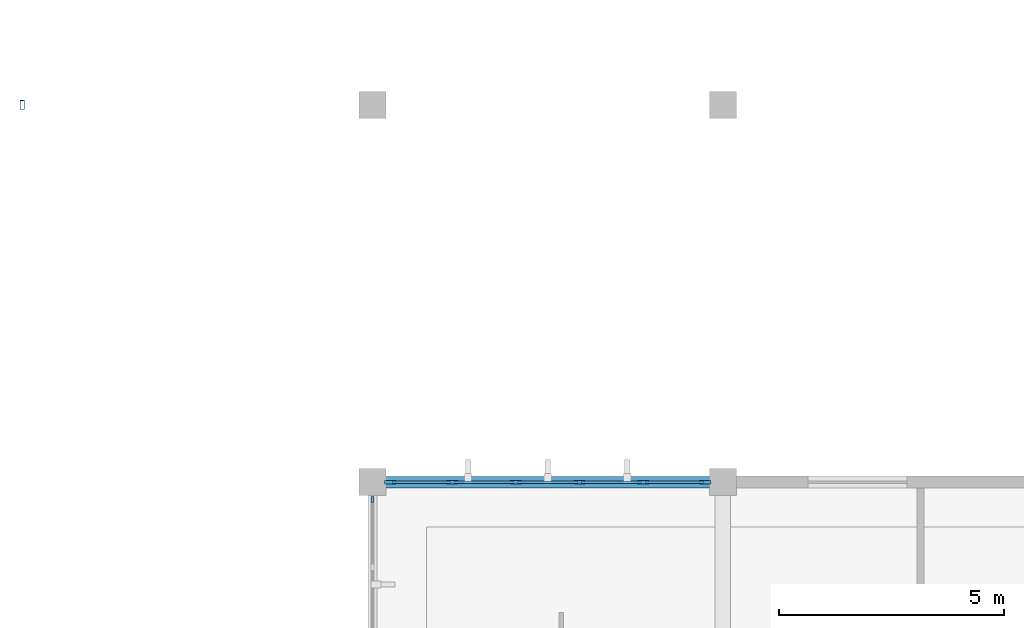
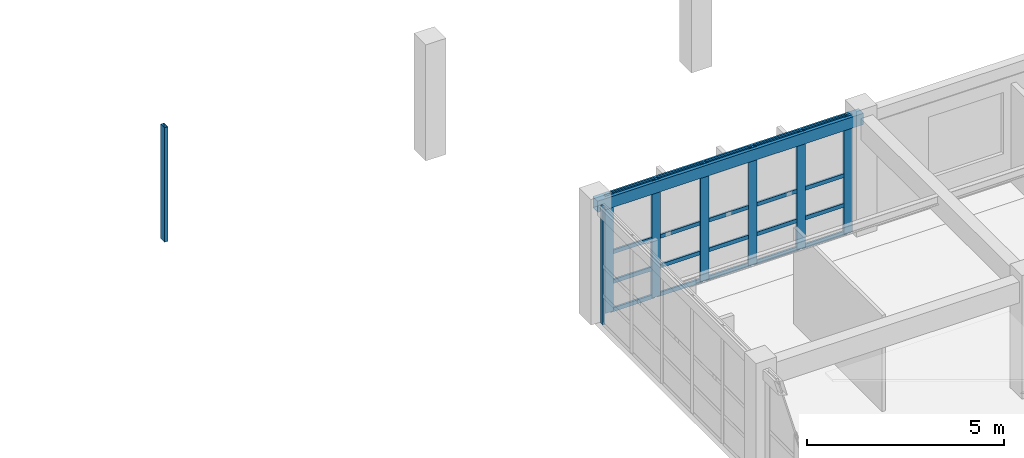
# One storey, part 10 of 67: 28 members, 1 beam, 2 elements without a shape of their own.
"""IFC4 building model written with IfcOpenShell, lengths in metres."""

from ifc_helpers import new_model, si_unit, direction, frame, origin, origin_2d, place, context, subcontext, project, spatial, rectangle, hollow_rectangle, extrude, material, material_profile, profile_set, type_object, element, aggregate, save


model = new_model("IFC4")

# Units and contexts
model_context = context("Model", 3, precision=1e-05, world=origin(), true_north=direction((0.0, 1.0)))
body_context = subcontext(model_context, "Body", "Model", "MODEL_VIEW")
ifc_project = project(units=[si_unit("LENGTHUNIT", "METRE"), si_unit("AREAUNIT", "SQUARE_METRE"), si_unit("VOLUMEUNIT", "CUBIC_METRE"), si_unit("PLANEANGLEUNIT", "RADIAN"), si_unit("MASSUNIT", "GRAM", prefix="KILO")], contexts=[model_context])

# Site, building, storey
site_placement = place(None, origin())
site = spatial("IfcSite", under=ifc_project, at=site_placement, CompositionType="ELEMENT")
building_placement = place(site_placement, origin())
building = spatial("IfcBuilding", under=site, at=building_placement, Name="Tizgana Railside Sports Hall", CompositionType="ELEMENT")
storey_placement = place(building_placement, frame((0.0, 0.0, 12.0)))
storey = spatial("IfcBuildingStorey", under=building, at=storey_placement, Name="L02", CompositionType="ELEMENT", Elevation=12.0)

# Curtain wall, member
ifc_material_1 = material(Name="Anodised aluminium and glass", Category="aluminium")
curtain_wall_type_1 = type_object("IfcCurtainWallType", Name="Unitised Curtain Wall Studio 1400", PredefinedType="NOTDEFINED", material=ifc_material_1)
curtain_wall_1_placement = place(storey_placement, origin())
curtain_wall_1 = element("IfcCurtainWall", 1, at=curtain_wall_1_placement, inside=storey, type_object=curtain_wall_type_1, Name="L02 Curtain Wall CW-0114", PredefinedType="NOTDEFINED")
ifc_material_2 = material(Name="Anodised aluminium", Category="aluminium")
ifc_material_profile_1 = material_profile(ifc_material_2, rectangle(XDim=0.06005859375, YDim=0.139892578125, at=origin_2d()), Name="Mullion 60x140")
ifc_profile_set_1 = profile_set([ifc_material_profile_1], Name="Anodised aluminium")
member_type_1 = type_object("IfcMemberType", Name="Mullion 60x140", PredefinedType="MULLION", material=ifc_profile_set_1)
member_1_placement = place(storey_placement, frame((7.800048828125, 32.014892578125, 0.0), z_axis=(0.0, 0.0, 1.0), x_axis=(1.0, 0.0, 0.0)))
member_1 = element("IfcMember", 2, at=member_1_placement, type_object=member_type_1, Name="CW-03 mullion 1", PredefinedType="MULLION", context=body_context, shape_type="SweptSolid", body=[
    extrude(rectangle(XDim=0.06005859375, YDim=0.139892578125, at=origin_2d()), origin(), (0.0, 0.0, 1.0), 3.639892578125),
])
aggregate(curtain_wall_1, [member_1])

# Curtain wall, members
curtain_wall_type_2 = type_object("IfcCurtainWallType", Name="Unitised Curtain Wall Climbing 1600", PredefinedType="NOTDEFINED", material=ifc_material_1)
curtain_wall_2_placement = place(storey_placement, origin())
curtain_wall_2 = element("IfcCurtainWall", 3, at=curtain_wall_2_placement, inside=storey, type_object=curtain_wall_type_2, Name="L02 Curtain Wall CW-0107", PredefinedType="NOTDEFINED")
ifc_material_profile_2 = material_profile(ifc_material_2, rectangle(XDim=0.074951171875, YDim=0.25, at=origin_2d()), Name="Mullion 75x250")
ifc_profile_set_2 = profile_set([ifc_material_profile_2], Name="Anodised aluminium")
member_type_2 = type_object("IfcMemberType", Name="Mullion 75x250", PredefinedType="MULLION", material=ifc_profile_set_2)
member_2_placement = place(storey_placement, frame((8.1923828125, 32.39990234375, 0.0), z_axis=(0.0, 0.0, 1.0), x_axis=(0.0, 1.0, 0.0)))
member_2 = element("IfcMember", 4, at=member_2_placement, type_object=member_type_2, Name="CW-04 mullion 1", PredefinedType="MULLION", context=body_context, shape_type="SweptSolid", body=[
    extrude(rectangle(XDim=0.074951171875, YDim=0.25, at=origin_2d()), origin(), (0.0, 0.0, 1.0), 3.639892578125),
])
member_3_placement = place(storey_placement, frame((9.572998046875, 32.39990234375, 0.0), z_axis=(0.0, 0.0, 1.0), x_axis=(0.0, 1.0, 0.0)))
member_3 = element("IfcMember", 5, at=member_3_placement, type_object=member_type_2, Name="CW-04 mullion 2", PredefinedType="MULLION", context=body_context, shape_type="SweptSolid", body=[
    extrude(rectangle(XDim=0.074951171875, YDim=0.25, at=origin_2d()), origin(), (0.0, 0.0, 1.0), 3.639892578125),
])
member_4_placement = place(storey_placement, frame((10.990966796875, 32.39990234375, 0.0), z_axis=(0.0, 0.0, 1.0), x_axis=(0.0, 1.0, 0.0)))
member_4 = element("IfcMember", 6, at=member_4_placement, type_object=member_type_2, Name="CW-04 mullion 3", PredefinedType="MULLION", context=body_context, shape_type="SweptSolid", body=[
    extrude(rectangle(XDim=0.074951171875, YDim=0.25, at=origin_2d()), origin(), (0.0, 0.0, 1.0), 3.639892578125),
])
member_5_placement = place(storey_placement, frame((12.408935546875, 32.39990234375, 0.0), z_axis=(0.0, 0.0, 1.0), x_axis=(0.0, 1.0, 0.0)))
member_5 = element("IfcMember", 7, at=member_5_placement, type_object=member_type_2, Name="CW-04 mullion 4", PredefinedType="MULLION", context=body_context, shape_type="SweptSolid", body=[
    extrude(rectangle(XDim=0.074951171875, YDim=0.25, at=origin_2d()), origin(), (0.0, 0.0, 1.0), 3.639892578125),
])
member_6_placement = place(storey_placement, frame((13.826904296875, 32.39990234375, 0.0), z_axis=(0.0, 0.0, 1.0), x_axis=(0.0, 1.0, 0.0)))
member_6 = element("IfcMember", 8, at=member_6_placement, type_object=member_type_2, Name="CW-04 mullion 5", PredefinedType="MULLION", context=body_context, shape_type="SweptSolid", body=[
    extrude(rectangle(XDim=0.074951171875, YDim=0.25, at=origin_2d()), origin(), (0.0, 0.0, 1.0), 3.639892578125),
])
member_7_placement = place(storey_placement, frame((15.20751953125, 32.39990234375, 0.0), z_axis=(0.0, 0.0, 1.0), x_axis=(0.0, 1.0, 0.0)))
member_7 = element("IfcMember", 9, at=member_7_placement, type_object=member_type_2, Name="CW-04 mullion 6", PredefinedType="MULLION", context=body_context, shape_type="SweptSolid", body=[
    extrude(rectangle(XDim=0.074951171875, YDim=0.25, at=origin_2d()), origin(), (0.0, 0.0, 1.0), 3.639892578125),
])

# Member
ifc_material_3 = material(Name="Steel S355J2", Category="steel")
ifc_material_profile_3 = material_profile(ifc_material_3, hollow_rectangle(XDim=0.10009765625, YDim=0.199951171875, WallThickness=0.008056640625, at=origin_2d()), Name="RHS 200x100x8")
ifc_profile_set_3 = profile_set([ifc_material_profile_3], Name="Steel S355J2")
member_type_3 = type_object("IfcMemberType", Name="Steel Brace RHS 200x100x8", PredefinedType="BRACE", material=ifc_profile_set_3)
member_8_placement = place(storey_placement, frame((0.0, 40.800048828125, 0.0), z_axis=(0.0, 0.0, 1.0), x_axis=(1.0, 0.0, 0.0)))
element("IfcMember", 10, at=member_8_placement, inside=storey, type_object=member_type_3, Name="L02 Tip Post MEM-0002", PredefinedType="BRACE", context=body_context, shape_type="SweptSolid", body=[
    extrude(hollow_rectangle(XDim=0.10009765625, YDim=0.199951171875, WallThickness=0.008056640625, at=origin_2d()), origin(), (0.0, 0.0, 1.0), 3.550048828125),
])

# Beam
ifc_material_profile_4 = material_profile(ifc_material_3, hollow_rectangle(XDim=0.25, YDim=0.35009765625, WallThickness=0.011962890625, at=origin_2d()), Name="RHS 350x250x12")
ifc_profile_set_4 = profile_set([ifc_material_profile_4], Name="Steel S355J2")
beam_type = type_object("IfcBeamType", Name="Steel Spandrel RHS 350x250x12", PredefinedType="SPANDREL", material=ifc_profile_set_4)
beam_placement = place(storey_placement, frame((7.800048828125, 32.39990234375, 3.4609375), z_axis=(1.0, 0.0, 0.0), x_axis=(0.0, 1.0, 0.0)))
element("IfcBeam", 11, at=beam_placement, inside=storey, type_object=beam_type, Name="L02 BEM-0637", PredefinedType="SPANDREL", context=body_context, shape_type="SweptSolid", body=[
    extrude(hollow_rectangle(XDim=0.25, YDim=0.35009765625, WallThickness=0.011962890625, at=origin_2d()), origin(), (0.0, 0.0, 1.0), 7.800048828125),
])

# Member
ifc_material_profile_5 = material_profile(ifc_material_2, rectangle(XDim=0.054931640625, YDim=0.1201171875, at=origin_2d()), Name="Transom 55x120")
ifc_profile_set_5 = profile_set([ifc_material_profile_5], Name="Anodised aluminium")
member_type_4 = type_object("IfcMemberType", Name="Transom 55x120", PredefinedType="USERDEFINED", material=ifc_profile_set_5)
member_9_placement = place(storey_placement, frame((8.22998046875, 32.39990234375, 0.027587890625), z_axis=(1.0, 0.0, 0.0), x_axis=(0.0, 1.0, 0.0)))
member_9 = element("IfcMember", 12, at=member_9_placement, type_object=member_type_4, Name="CW-04 transom 1.1", ObjectType="TRANSOM", PredefinedType="USERDEFINED", context=body_context, shape_type="SweptSolid", body=[
    extrude(rectangle(XDim=0.054931640625, YDim=0.1201171875, at=origin_2d()), origin(), (0.0, 0.0, 1.0), 1.305419921875),
])

member_10_placement = place(storey_placement, frame((8.22998046875, 32.39990234375, 0.89990234375), z_axis=(1.0, 0.0, 0.0), x_axis=(0.0, 1.0, 0.0)))
member_10 = element("IfcMember", 13, at=member_10_placement, type_object=member_type_4, Name="CW-04 transom 1.2", ObjectType="TRANSOM", PredefinedType="USERDEFINED", context=body_context, shape_type="SweptSolid", body=[
    extrude(rectangle(XDim=0.054931640625, YDim=0.1201171875, at=origin_2d()), origin(), (0.0, 0.0, 1.0), 1.305419921875),
])

member_11_placement = place(storey_placement, frame((8.22998046875, 32.39990234375, 1.820068359375), z_axis=(1.0, 0.0, 0.0), x_axis=(0.0, 1.0, 0.0)))
member_11 = element("IfcMember", 14, at=member_11_placement, type_object=member_type_4, Name="CW-04 transom 1.3", ObjectType="TRANSOM", PredefinedType="USERDEFINED", context=body_context, shape_type="SweptSolid", body=[
    extrude(rectangle(XDim=0.054931640625, YDim=0.1201171875, at=origin_2d()), origin(), (0.0, 0.0, 1.0), 1.305419921875),
])

member_12_placement = place(storey_placement, frame((8.22998046875, 32.39990234375, 3.612548828125), z_axis=(1.0, 0.0, 0.0), x_axis=(0.0, 1.0, 0.0)))
member_12 = element("IfcMember", 15, at=member_12_placement, type_object=member_type_4, Name="CW-04 transom 1.4", ObjectType="TRANSOM", PredefinedType="USERDEFINED", context=body_context, shape_type="SweptSolid", body=[
    extrude(rectangle(XDim=0.054931640625, YDim=0.1201171875, at=origin_2d()), origin(), (0.0, 0.0, 1.0), 1.305419921875),
])

member_13_placement = place(storey_placement, frame((9.610595703125, 32.39990234375, 0.027587890625), z_axis=(1.0, 0.0, 0.0), x_axis=(0.0, 1.0, 0.0)))
member_13 = element("IfcMember", 16, at=member_13_placement, type_object=member_type_4, Name="CW-04 transom 2.1", ObjectType="TRANSOM", PredefinedType="USERDEFINED", context=body_context, shape_type="SweptSolid", body=[
    extrude(rectangle(XDim=0.054931640625, YDim=0.1201171875, at=origin_2d()), origin(), (0.0, 0.0, 1.0), 1.343017578125),
])

member_14_placement = place(storey_placement, frame((9.610595703125, 32.39990234375, 0.89990234375), z_axis=(1.0, 0.0, 0.0), x_axis=(0.0, 1.0, 0.0)))
member_14 = element("IfcMember", 17, at=member_14_placement, type_object=member_type_4, Name="CW-04 transom 2.2", ObjectType="TRANSOM", PredefinedType="USERDEFINED", context=body_context, shape_type="SweptSolid", body=[
    extrude(rectangle(XDim=0.054931640625, YDim=0.1201171875, at=origin_2d()), origin(), (0.0, 0.0, 1.0), 1.343017578125),
])

member_15_placement = place(storey_placement, frame((9.610595703125, 32.39990234375, 1.820068359375), z_axis=(1.0, 0.0, 0.0), x_axis=(0.0, 1.0, 0.0)))
member_15 = element("IfcMember", 18, at=member_15_placement, type_object=member_type_4, Name="CW-04 transom 2.3", ObjectType="TRANSOM", PredefinedType="USERDEFINED", context=body_context, shape_type="SweptSolid", body=[
    extrude(rectangle(XDim=0.054931640625, YDim=0.1201171875, at=origin_2d()), origin(), (0.0, 0.0, 1.0), 1.343017578125),
])

member_16_placement = place(storey_placement, frame((9.610595703125, 32.39990234375, 3.612548828125), z_axis=(1.0, 0.0, 0.0), x_axis=(0.0, 1.0, 0.0)))
member_16 = element("IfcMember", 19, at=member_16_placement, type_object=member_type_4, Name="CW-04 transom 2.4", ObjectType="TRANSOM", PredefinedType="USERDEFINED", context=body_context, shape_type="SweptSolid", body=[
    extrude(rectangle(XDim=0.054931640625, YDim=0.1201171875, at=origin_2d()), origin(), (0.0, 0.0, 1.0), 1.343017578125),
])

member_17_placement = place(storey_placement, frame((11.028564453125, 32.39990234375, 0.027587890625), z_axis=(1.0, 0.0, 0.0), x_axis=(0.0, 1.0, 0.0)))
member_17 = element("IfcMember", 20, at=member_17_placement, type_object=member_type_4, Name="CW-04 transom 3.1", ObjectType="TRANSOM", PredefinedType="USERDEFINED", context=body_context, shape_type="SweptSolid", body=[
    extrude(rectangle(XDim=0.054931640625, YDim=0.1201171875, at=origin_2d()), origin(), (0.0, 0.0, 1.0), 1.343017578125),
])

member_18_placement = place(storey_placement, frame((11.028564453125, 32.39990234375, 0.89990234375), z_axis=(1.0, 0.0, 0.0), x_axis=(0.0, 1.0, 0.0)))
member_18 = element("IfcMember", 21, at=member_18_placement, type_object=member_type_4, Name="CW-04 transom 3.2", ObjectType="TRANSOM", PredefinedType="USERDEFINED", context=body_context, shape_type="SweptSolid", body=[
    extrude(rectangle(XDim=0.054931640625, YDim=0.1201171875, at=origin_2d()), origin(), (0.0, 0.0, 1.0), 1.343017578125),
])

member_19_placement = place(storey_placement, frame((11.028564453125, 32.39990234375, 1.820068359375), z_axis=(1.0, 0.0, 0.0), x_axis=(0.0, 1.0, 0.0)))
member_19 = element("IfcMember", 22, at=member_19_placement, type_object=member_type_4, Name="CW-04 transom 3.3", ObjectType="TRANSOM", PredefinedType="USERDEFINED", context=body_context, shape_type="SweptSolid", body=[
    extrude(rectangle(XDim=0.054931640625, YDim=0.1201171875, at=origin_2d()), origin(), (0.0, 0.0, 1.0), 1.343017578125),
])

member_20_placement = place(storey_placement, frame((11.028564453125, 32.39990234375, 3.612548828125), z_axis=(1.0, 0.0, 0.0), x_axis=(0.0, 1.0, 0.0)))
member_20 = element("IfcMember", 23, at=member_20_placement, type_object=member_type_4, Name="CW-04 transom 3.4", ObjectType="TRANSOM", PredefinedType="USERDEFINED", context=body_context, shape_type="SweptSolid", body=[
    extrude(rectangle(XDim=0.054931640625, YDim=0.1201171875, at=origin_2d()), origin(), (0.0, 0.0, 1.0), 1.343017578125),
])

member_21_placement = place(storey_placement, frame((12.446533203125, 32.39990234375, 0.027587890625), z_axis=(1.0, 0.0, 0.0), x_axis=(0.0, 1.0, 0.0)))
member_21 = element("IfcMember", 24, at=member_21_placement, type_object=member_type_4, Name="CW-04 transom 4.1", ObjectType="TRANSOM", PredefinedType="USERDEFINED", context=body_context, shape_type="SweptSolid", body=[
    extrude(rectangle(XDim=0.054931640625, YDim=0.1201171875, at=origin_2d()), origin(), (0.0, 0.0, 1.0), 1.343017578125),
])

member_22_placement = place(storey_placement, frame((12.446533203125, 32.39990234375, 0.89990234375), z_axis=(1.0, 0.0, 0.0), x_axis=(0.0, 1.0, 0.0)))
member_22 = element("IfcMember", 25, at=member_22_placement, type_object=member_type_4, Name="CW-04 transom 4.2", ObjectType="TRANSOM", PredefinedType="USERDEFINED", context=body_context, shape_type="SweptSolid", body=[
    extrude(rectangle(XDim=0.054931640625, YDim=0.1201171875, at=origin_2d()), origin(), (0.0, 0.0, 1.0), 1.343017578125),
])

member_23_placement = place(storey_placement, frame((12.446533203125, 32.39990234375, 1.820068359375), z_axis=(1.0, 0.0, 0.0), x_axis=(0.0, 1.0, 0.0)))
member_23 = element("IfcMember", 26, at=member_23_placement, type_object=member_type_4, Name="CW-04 transom 4.3", ObjectType="TRANSOM", PredefinedType="USERDEFINED", context=body_context, shape_type="SweptSolid", body=[
    extrude(rectangle(XDim=0.054931640625, YDim=0.1201171875, at=origin_2d()), origin(), (0.0, 0.0, 1.0), 1.343017578125),
])

member_24_placement = place(storey_placement, frame((12.446533203125, 32.39990234375, 3.612548828125), z_axis=(1.0, 0.0, 0.0), x_axis=(0.0, 1.0, 0.0)))
member_24 = element("IfcMember", 27, at=member_24_placement, type_object=member_type_4, Name="CW-04 transom 4.4", ObjectType="TRANSOM", PredefinedType="USERDEFINED", context=body_context, shape_type="SweptSolid", body=[
    extrude(rectangle(XDim=0.054931640625, YDim=0.1201171875, at=origin_2d()), origin(), (0.0, 0.0, 1.0), 1.343017578125),
])

member_25_placement = place(storey_placement, frame((13.864501953125, 32.39990234375, 0.027587890625), z_axis=(1.0, 0.0, 0.0), x_axis=(0.0, 1.0, 0.0)))
member_25 = element("IfcMember", 28, at=member_25_placement, type_object=member_type_4, Name="CW-04 transom 5.1", ObjectType="TRANSOM", PredefinedType="USERDEFINED", context=body_context, shape_type="SweptSolid", body=[
    extrude(rectangle(XDim=0.054931640625, YDim=0.1201171875, at=origin_2d()), origin(), (0.0, 0.0, 1.0), 1.305419921875),
])

member_26_placement = place(storey_placement, frame((13.864501953125, 32.39990234375, 0.89990234375), z_axis=(1.0, 0.0, 0.0), x_axis=(0.0, 1.0, 0.0)))
member_26 = element("IfcMember", 29, at=member_26_placement, type_object=member_type_4, Name="CW-04 transom 5.2", ObjectType="TRANSOM", PredefinedType="USERDEFINED", context=body_context, shape_type="SweptSolid", body=[
    extrude(rectangle(XDim=0.054931640625, YDim=0.1201171875, at=origin_2d()), origin(), (0.0, 0.0, 1.0), 1.305419921875),
])

member_27_placement = place(storey_placement, frame((13.864501953125, 32.39990234375, 1.820068359375), z_axis=(1.0, 0.0, 0.0), x_axis=(0.0, 1.0, 0.0)))
member_27 = element("IfcMember", 30, at=member_27_placement, type_object=member_type_4, Name="CW-04 transom 5.3", ObjectType="TRANSOM", PredefinedType="USERDEFINED", context=body_context, shape_type="SweptSolid", body=[
    extrude(rectangle(XDim=0.054931640625, YDim=0.1201171875, at=origin_2d()), origin(), (0.0, 0.0, 1.0), 1.305419921875),
])

member_28_placement = place(storey_placement, frame((13.864501953125, 32.39990234375, 3.612548828125), z_axis=(1.0, 0.0, 0.0), x_axis=(0.0, 1.0, 0.0)))
member_28 = element("IfcMember", 31, at=member_28_placement, type_object=member_type_4, Name="CW-04 transom 5.4", ObjectType="TRANSOM", PredefinedType="USERDEFINED", context=body_context, shape_type="SweptSolid", body=[
    extrude(rectangle(XDim=0.054931640625, YDim=0.1201171875, at=origin_2d()), origin(), (0.0, 0.0, 1.0), 1.305419921875),
])

aggregate(curtain_wall_2, [member_2, member_3, member_4, member_5, member_6, member_7, member_9, member_10, member_11, member_12, member_13, member_14, member_15, member_16, member_17, member_18, member_19, member_20, member_21, member_22, member_23, member_24, member_25, member_26, member_27, member_28])

save(model, "model.ifc")
